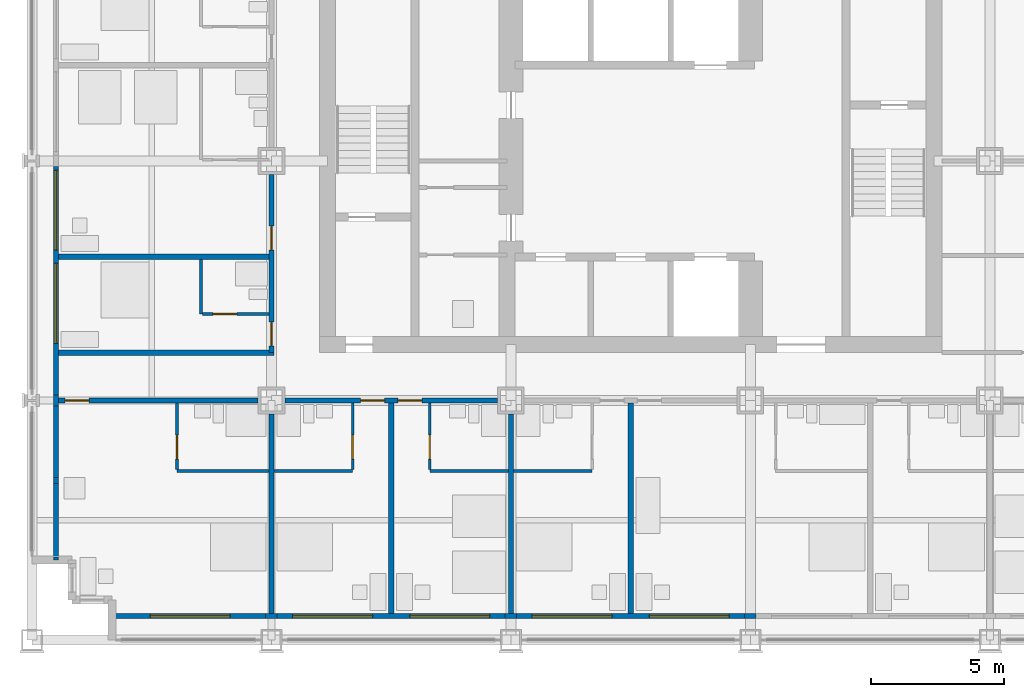
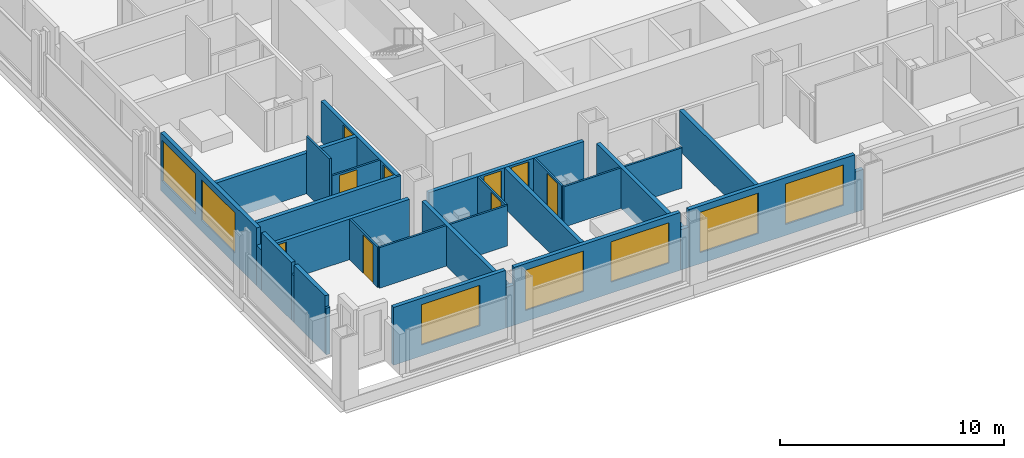
# One storey, part 10 of 19: 30 walls, 9 doors, 7 windows, 16 openings.
"""IFC4 building model written with IfcOpenShell, lengths in metres."""

from ifc_helpers import new_model, si_unit, direction, frame, frame_2d, origin, place, context, subcontext, project, spatial, rectangle, extrude, material, layer, layer_set, type_object, element, fill, save


model = new_model("IFC4")

# Units and contexts
model_context = context("Model", 3, precision=1e-05, world=origin(), true_north=direction((0.0, 1.0)))
body_context = subcontext(model_context, "Body", "Model", "MODEL_VIEW")
ifc_project = project(units=[si_unit("LENGTHUNIT", "METRE"), si_unit("AREAUNIT", "SQUARE_METRE"), si_unit("VOLUMEUNIT", "CUBIC_METRE"), si_unit("PLANEANGLEUNIT", "RADIAN"), si_unit("MASSUNIT", "GRAM", prefix="KILO")], contexts=[model_context])

# Site, building, storey
site_placement = place(None, origin())
site = spatial("IfcSite", under=ifc_project, at=site_placement, CompositionType="ELEMENT")
building_placement = place(site_placement, origin())
building = spatial("IfcBuilding", under=site, at=building_placement, Name="Loomwork Tower", CompositionType="ELEMENT")
storey_placement = place(building_placement, frame((0.0, 0.0, 85.800048828125)))
storey = spatial("IfcBuildingStorey", under=building, at=storey_placement, Name="L22", CompositionType="ELEMENT", Elevation=85.800048828125)

# Wall, opening, door
ifc_material_1 = material(Name="Gypsum board on steel studs, one-hour", Category="steel")
ifc_layer_1 = layer(ifc_material_1, 0.199951171875)
ifc_layer_set_1 = layer_set([ifc_layer_1], Name="Corridor wall 200")
wall_type_1 = type_object("IfcWallType", Name="Corridor wall 200", PredefinedType="PARTITIONING", material=ifc_layer_set_1)
wall_1_placement = place(storey_placement, frame((1.0, 9.0, 0.0), z_axis=(0.0, 0.0, 1.0), x_axis=(1.0, 0.0, 0.0)))
wall_1 = element("IfcWall", 1, at=wall_1_placement, inside=storey, type_object=wall_type_1, Name="South corridor wall 1", PredefinedType="PARTITIONING", context=body_context, shape_type="SweptSolid", body=[
    extrude(rectangle(XDim=7.5, YDim=0.199951171875, at=frame_2d((3.75, 0.0))), origin(), (0.0, 0.0, 1.0), 2.210205078125),
])
opening_1_placement = place(wall_1_placement, frame((0.25, 0.0, 0.0)))
opening_1 = element("IfcOpeningElement", 2, at=opening_1_placement, cuts=wall_1, Name="Opening D1", PredefinedType="OPENING", context=body_context, shape_type="SweptSolid", body=[
    extrude(rectangle(XDim=0.89990234375, YDim=2.10009765625, at=frame_2d((0.449951171875, 1.050048828125))), frame((0.0, 0.10986328125, 0.0), z_axis=(0.0, -1.0, 0.0), x_axis=(1.0, 0.0, 0.0)), (0.0, 0.0, 1.0), 0.219970703125),
])
ifc_material_2 = material(Name="Hollow metal door and frame")
door_type_1 = type_object("IfcDoorType", Name="Guest room entry door 900", OperationType="SINGLE_SWING_LEFT", PredefinedType="DOOR", material=ifc_material_2)
door_1_placement = place(opening_1_placement, frame((0.89990234375, 0.0, 0.0), z_axis=(0.0, 0.0, 1.0), x_axis=(-1.0, 0.0, 0.0)))
door_1 = element("IfcDoor", 3, at=door_1_placement, inside=storey, type_object=door_type_1, Name="Guest room entry door L22 1", OperationType="SINGLE_SWING_RIGHT", OverallHeight=2.10009765625, OverallWidth=0.89990234375, PredefinedType="DOOR", context=body_context, shape_type="SweptSolid", body=[
    extrude(rectangle(XDim=0.89990234375, YDim=2.10009765625, at=frame_2d((0.449951171875, 1.050048828125))), frame((0.0, 0.02490234375, 0.0), z_axis=(0.0, -1.0, 0.0), x_axis=(1.0, 0.0, 0.0)), (0.0, 0.0, 1.0), 0.050048828125),
])
fill(opening_1, door_1)

# Wall, openings, doors
wall_2_placement = place(storey_placement, frame((9.5, 9.0, 0.0), z_axis=(0.0, 0.0, 1.0), x_axis=(1.0, 0.0, 0.0)))
wall_2 = element("IfcWall", 4, at=wall_2_placement, inside=storey, type_object=wall_type_1, Name="South corridor wall 2", PredefinedType="PARTITIONING", context=body_context, shape_type="SweptSolid", body=[
    extrude(rectangle(XDim=8.0, YDim=0.199951171875, at=frame_2d((4.0, 0.0))), origin(), (0.0, 0.0, 1.0), 2.210205078125),
])
opening_2_placement = place(wall_2_placement, frame((2.85009765625, 0.0, 0.0)))
opening_2 = element("IfcOpeningElement", 5, at=opening_2_placement, cuts=wall_2, Name="Opening D1", PredefinedType="OPENING", context=body_context, shape_type="SweptSolid", body=[
    extrude(rectangle(XDim=0.89990234375, YDim=2.10009765625, at=frame_2d((0.449951171875, 1.050048828125))), frame((0.0, 0.10986328125, 0.0), z_axis=(0.0, -1.0, 0.0), x_axis=(1.0, 0.0, 0.0)), (0.0, 0.0, 1.0), 0.219970703125),
])
opening_3_placement = place(wall_2_placement, frame((4.25, 0.0, 0.0)))
opening_3 = element("IfcOpeningElement", 6, at=opening_3_placement, cuts=wall_2, Name="Opening D1", PredefinedType="OPENING", context=body_context, shape_type="SweptSolid", body=[
    extrude(rectangle(XDim=0.89990234375, YDim=2.10009765625, at=frame_2d((0.449951171875, 1.050048828125))), frame((0.0, 0.10986328125, 0.0), z_axis=(0.0, -1.0, 0.0), x_axis=(1.0, 0.0, 0.0)), (0.0, 0.0, 1.0), 0.219970703125),
])
door_2_placement = place(opening_2_placement, frame((0.89990234375, 0.0, 0.0), z_axis=(0.0, 0.0, 1.0), x_axis=(-1.0, 0.0, 0.0)))
door_2 = element("IfcDoor", 7, at=door_2_placement, inside=storey, type_object=door_type_1, Name="Guest room entry door L22 2", OperationType="SINGLE_SWING_LEFT", OverallHeight=2.10009765625, OverallWidth=0.89990234375, PredefinedType="DOOR", context=body_context, shape_type="SweptSolid", body=[
    extrude(rectangle(XDim=0.89990234375, YDim=2.10009765625, at=frame_2d((0.449951171875, 1.050048828125))), frame((0.0, 0.02490234375, 0.0), z_axis=(0.0, -1.0, 0.0), x_axis=(1.0, 0.0, 0.0)), (0.0, 0.0, 1.0), 0.050048828125),
])
fill(opening_2, door_2)
door_3_placement = place(opening_3_placement, frame((0.89990234375, 0.0, 0.0), z_axis=(0.0, 0.0, 1.0), x_axis=(-1.0, 0.0, 0.0)))
door_3 = element("IfcDoor", 8, at=door_3_placement, inside=storey, type_object=door_type_1, Name="Guest room entry door L22 3", OperationType="SINGLE_SWING_RIGHT", OverallHeight=2.10009765625, OverallWidth=0.89990234375, PredefinedType="DOOR", context=body_context, shape_type="SweptSolid", body=[
    extrude(rectangle(XDim=0.89990234375, YDim=2.10009765625, at=frame_2d((0.449951171875, 1.050048828125))), frame((0.0, 0.02490234375, 0.0), z_axis=(0.0, -1.0, 0.0), x_axis=(1.0, 0.0, 0.0)), (0.0, 0.0, 1.0), 0.050048828125),
])
fill(opening_3, door_3)

wall_3_placement = place(storey_placement, frame((9.0, 10.800048828125, 0.0), z_axis=(0.0, 0.0, 1.0), x_axis=(0.0, 1.0, 0.0)))
wall_3 = element("IfcWall", 9, at=wall_3_placement, inside=storey, type_object=wall_type_1, Name="West corridor wall 1", PredefinedType="PARTITIONING", context=body_context, shape_type="SweptSolid", body=[
    extrude(rectangle(XDim=6.699951171875, YDim=0.199951171875, at=frame_2d((3.35009765625, 0.0))), origin(), (0.0, 0.0, 1.0), 2.210205078125),
])
opening_4_placement = place(wall_3_placement, frame((0.25, 0.0, 0.0)))
opening_4 = element("IfcOpeningElement", 10, at=opening_4_placement, cuts=wall_3, Name="Opening D1", PredefinedType="OPENING", context=body_context, shape_type="SweptSolid", body=[
    extrude(rectangle(XDim=0.89990234375, YDim=2.10009765625, at=frame_2d((0.449951171875, 1.050048828125))), frame((0.0, 0.10986328125, 0.0), z_axis=(0.0, -1.0, 0.0), x_axis=(1.0, 0.0, 0.0)), (0.0, 0.0, 1.0), 0.219970703125),
])
opening_5_placement = place(wall_3_placement, frame((3.85009765625, 0.0, 0.0)))
opening_5 = element("IfcOpeningElement", 11, at=opening_5_placement, cuts=wall_3, Name="Opening D1", PredefinedType="OPENING", context=body_context, shape_type="SweptSolid", body=[
    extrude(rectangle(XDim=0.89990234375, YDim=2.10009765625, at=frame_2d((0.449951171875, 1.050048828125))), frame((0.0, 0.10986328125, 0.0), z_axis=(0.0, -1.0, 0.0), x_axis=(1.0, 0.0, 0.0)), (0.0, 0.0, 1.0), 0.219970703125),
])
door_4_placement = place(opening_4_placement, origin())
door_4 = element("IfcDoor", 12, at=door_4_placement, inside=storey, type_object=door_type_1, Name="Guest room entry door L22 18", OperationType="SINGLE_SWING_LEFT", OverallHeight=2.10009765625, OverallWidth=0.89990234375, PredefinedType="DOOR", context=body_context, shape_type="SweptSolid", body=[
    extrude(rectangle(XDim=0.89990234375, YDim=2.10009765625, at=frame_2d((0.449951171875, 1.050048828125))), frame((0.0, 0.02490234375, 0.0), z_axis=(0.0, -1.0, 0.0), x_axis=(1.0, 0.0, 0.0)), (0.0, 0.0, 1.0), 0.050048828125),
])
fill(opening_4, door_4)
door_5_placement = place(opening_5_placement, origin())
door_5 = element("IfcDoor", 13, at=door_5_placement, inside=storey, type_object=door_type_1, Name="Guest room entry door L22 19", OperationType="SINGLE_SWING_LEFT", OverallHeight=2.10009765625, OverallWidth=0.89990234375, PredefinedType="DOOR", context=body_context, shape_type="SweptSolid", body=[
    extrude(rectangle(XDim=0.89990234375, YDim=2.10009765625, at=frame_2d((0.449951171875, 1.050048828125))), frame((0.0, 0.02490234375, 0.0), z_axis=(0.0, -1.0, 0.0), x_axis=(1.0, 0.0, 0.0)), (0.0, 0.0, 1.0), 0.050048828125),
])
fill(opening_5, door_5)

# Walls
wall_4_placement = place(storey_placement, frame((1.0, 10.800048828125, 0.0), z_axis=(0.0, 0.0, 1.0), x_axis=(1.0, 0.0, 0.0)))
element("IfcWall", 14, at=wall_4_placement, inside=storey, type_object=wall_type_1, Name="West band end wall S", PredefinedType="PARTITIONING", context=body_context, shape_type="SweptSolid", body=[
    extrude(rectangle(XDim=8.10009765625, YDim=0.199951171875, at=frame_2d((4.050048828125, 0.0))), origin(), (0.0, 0.0, 1.0), 2.2099609375),
])
ifc_material_3 = material(Name="Cement board on steel studs", Category="steel")
ifc_layer_2 = layer(ifc_material_3, 0.10009765625)
ifc_layer_set_2 = layer_set([ifc_layer_2], Name="En-suite partition 100")
wall_type_2 = type_object("IfcWallType", Name="En-suite partition 100", PredefinedType="PARTITIONING", material=ifc_layer_set_2)
wall_5_placement = place(storey_placement, frame((5.449951171875, 6.35009765625, 0.0), z_axis=(0.0, 0.0, 1.0), x_axis=(1.0, 0.0, 0.0)))
element("IfcWall", 15, at=wall_5_placement, inside=storey, type_object=wall_type_2, Name="En-suite wall L22 room 1", PredefinedType="PARTITIONING", context=body_context, shape_type="SweptSolid", body=[
    extrude(rectangle(XDim=3.449951171875, YDim=0.10009765625, at=frame_2d((1.72509765625, 0.0))), origin(), (0.0, 0.0, 1.0), 2.2099609375),
])

# Wall, opening, door
wall_6_placement = place(storey_placement, frame((5.449951171875, 8.89990234375, 0.0), z_axis=(0.0, 0.0, 1.0), x_axis=(0.0, -1.0, 0.0)))
wall_6 = element("IfcWall", 16, at=wall_6_placement, inside=storey, type_object=wall_type_2, Name="En-suite side wall L22 room 1", PredefinedType="PARTITIONING", context=body_context, shape_type="SweptSolid", body=[
    extrude(rectangle(XDim=2.5, YDim=0.10009765625, at=frame_2d((1.25, 0.0))), origin(), (0.0, 0.0, 1.0), 2.2099609375),
])
opening_6_placement = place(wall_6_placement, frame((1.199951171875, 0.0, 0.0)))
opening_6 = element("IfcOpeningElement", 17, at=opening_6_placement, cuts=wall_6, Name="Opening D3", PredefinedType="OPENING", context=body_context, shape_type="SweptSolid", body=[
    extrude(rectangle(XDim=0.89990234375, YDim=2.10009765625, at=frame_2d((0.449951171875, 1.050048828125))), frame((0.0, 0.06005859375, 0.0), z_axis=(0.0, -1.0, 0.0), x_axis=(1.0, 0.0, 0.0)), (0.0, 0.0, 1.0), 0.1201171875),
])
ifc_material_4 = material(Name="Hollow metal door and frame")
door_type_2 = type_object("IfcDoorType", Name="Accessible en-suite door 900", OperationType="SLIDING_TO_LEFT", PredefinedType="DOOR", material=ifc_material_4)
door_6_placement = place(opening_6_placement, origin())
door_6 = element("IfcDoor", 18, at=door_6_placement, inside=storey, type_object=door_type_2, Name="Accessible en-suite door room 1", OperationType="SLIDING_TO_LEFT", OverallHeight=2.10009765625, OverallWidth=0.89990234375, PredefinedType="DOOR", context=body_context, shape_type="SweptSolid", body=[
    extrude(rectangle(XDim=0.89990234375, YDim=2.10009765625, at=frame_2d((0.449951171875, 1.050048828125))), frame((0.0, 0.02490234375, 0.0), z_axis=(0.0, -1.0, 0.0), x_axis=(1.0, 0.0, 0.0)), (0.0, 0.0, 1.0), 0.050048828125),
])
fill(opening_6, door_6)

# Wall
wall_7_placement = place(storey_placement, frame((9.10009765625, 6.35009765625, 0.0), z_axis=(0.0, 0.0, 1.0), x_axis=(1.0, 0.0, 0.0)))
element("IfcWall", 19, at=wall_7_placement, inside=storey, type_object=wall_type_2, Name="En-suite wall L22 room 2", PredefinedType="PARTITIONING", context=body_context, shape_type="SweptSolid", body=[
    extrude(rectangle(XDim=2.949951171875, YDim=0.10009765625, at=frame_2d((1.47509765625, 0.0))), origin(), (0.0, 0.0, 1.0), 2.2099609375),
])

# Wall, opening, door
wall_8_placement = place(storey_placement, frame((12.050048828125, 8.89990234375, 0.0), z_axis=(0.0, 0.0, 1.0), x_axis=(0.0, -1.0, 0.0)))
wall_8 = element("IfcWall", 20, at=wall_8_placement, inside=storey, type_object=wall_type_2, Name="En-suite side wall L22 room 2", PredefinedType="PARTITIONING", context=body_context, shape_type="SweptSolid", body=[
    extrude(rectangle(XDim=2.5, YDim=0.10009765625, at=frame_2d((1.25, 0.0))), origin(), (0.0, 0.0, 1.0), 2.2099609375),
])
opening_7_placement = place(wall_8_placement, frame((1.199951171875, 0.0, 0.0)))
opening_7 = element("IfcOpeningElement", 21, at=opening_7_placement, cuts=wall_8, Name="Opening D2", PredefinedType="OPENING", context=body_context, shape_type="SweptSolid", body=[
    extrude(rectangle(XDim=0.89990234375, YDim=2.10009765625, at=frame_2d((0.449951171875, 1.050048828125))), frame((0.0, 0.06005859375, 0.0), z_axis=(0.0, -1.0, 0.0), x_axis=(1.0, 0.0, 0.0)), (0.0, 0.0, 1.0), 0.1201171875),
])
ifc_material_5 = material(Name="Hollow metal door and frame")
door_type_3 = type_object("IfcDoorType", Name="En-suite door 900", OperationType="SINGLE_SWING_LEFT", PredefinedType="DOOR", material=ifc_material_5)
door_7_placement = place(opening_7_placement, frame((0.89990234375, 0.0, 0.0), z_axis=(0.0, 0.0, 1.0), x_axis=(-1.0, 0.0, 0.0)))
door_7 = element("IfcDoor", 22, at=door_7_placement, inside=storey, type_object=door_type_3, Name="En-suite door room 2", OperationType="SINGLE_SWING_LEFT", OverallHeight=2.10009765625, OverallWidth=0.89990234375, PredefinedType="DOOR", context=body_context, shape_type="SweptSolid", body=[
    extrude(rectangle(XDim=0.89990234375, YDim=2.10009765625, at=frame_2d((0.449951171875, 1.050048828125))), frame((0.0, 0.02490234375, 0.0), z_axis=(0.0, -1.0, 0.0), x_axis=(1.0, 0.0, 0.0)), (0.0, 0.0, 1.0), 0.050048828125),
])
fill(opening_7, door_7)

# Wall
wall_9_placement = place(storey_placement, frame((14.949951171875, 6.35009765625, 0.0), z_axis=(0.0, 0.0, 1.0), x_axis=(1.0, 0.0, 0.0)))
element("IfcWall", 23, at=wall_9_placement, inside=storey, type_object=wall_type_2, Name="En-suite wall L22 room 3", PredefinedType="PARTITIONING", context=body_context, shape_type="SweptSolid", body=[
    extrude(rectangle(XDim=2.949951171875, YDim=0.10009765625, at=frame_2d((1.47509765625, 0.0))), origin(), (0.0, 0.0, 1.0), 2.201904296875),
])

# Wall, opening, door
wall_10_placement = place(storey_placement, frame((14.949951171875, 8.89990234375, 0.0), z_axis=(0.0, 0.0, 1.0), x_axis=(0.0, -1.0, 0.0)))
wall_10 = element("IfcWall", 24, at=wall_10_placement, inside=storey, type_object=wall_type_2, Name="En-suite side wall L22 room 3", PredefinedType="PARTITIONING", context=body_context, shape_type="SweptSolid", body=[
    extrude(rectangle(XDim=2.5, YDim=0.10009765625, at=frame_2d((1.25, 0.0))), origin(), (0.0, 0.0, 1.0), 2.2099609375),
])
opening_8_placement = place(wall_10_placement, frame((1.199951171875, 0.0, 0.0)))
opening_8 = element("IfcOpeningElement", 25, at=opening_8_placement, cuts=wall_10, Name="Opening D2", PredefinedType="OPENING", context=body_context, shape_type="SweptSolid", body=[
    extrude(rectangle(XDim=0.89990234375, YDim=2.10009765625, at=frame_2d((0.449951171875, 1.050048828125))), frame((0.0, 0.06005859375, 0.0), z_axis=(0.0, -1.0, 0.0), x_axis=(1.0, 0.0, 0.0)), (0.0, 0.0, 1.0), 0.1201171875),
])
door_8_placement = place(opening_8_placement, origin())
door_8 = element("IfcDoor", 26, at=door_8_placement, inside=storey, type_object=door_type_3, Name="En-suite door room 3", OperationType="SINGLE_SWING_RIGHT", OverallHeight=2.10009765625, OverallWidth=0.89990234375, PredefinedType="DOOR", context=body_context, shape_type="SweptSolid", body=[
    extrude(rectangle(XDim=0.89990234375, YDim=2.10009765625, at=frame_2d((0.449951171875, 1.050048828125))), frame((0.0, 0.02490234375, 0.0), z_axis=(0.0, -1.0, 0.0), x_axis=(1.0, 0.0, 0.0)), (0.0, 0.0, 1.0), 0.050048828125),
])
fill(opening_8, door_8)

# Walls
wall_11_placement = place(storey_placement, frame((18.10009765625, 6.35009765625, 0.0), z_axis=(0.0, 0.0, 1.0), x_axis=(1.0, 0.0, 0.0)))
element("IfcWall", 27, at=wall_11_placement, inside=storey, type_object=wall_type_2, Name="En-suite wall L22 room 4", PredefinedType="PARTITIONING", context=body_context, shape_type="SweptSolid", body=[
    extrude(rectangle(XDim=2.949951171875, YDim=0.10009765625, at=frame_2d((1.47509765625, 0.0))), origin(), (0.0, 0.0, 1.0), 2.201904296875),
])
wall_12_placement = place(storey_placement, frame((6.35009765625, 12.25, 0.0), z_axis=(0.0, 0.0, 1.0), x_axis=(0.0, 1.0, 0.0)))
element("IfcWall", 28, at=wall_12_placement, inside=storey, type_object=wall_type_2, Name="En-suite wall L22 room 18", PredefinedType="PARTITIONING", context=body_context, shape_type="SweptSolid", body=[
    extrude(rectangle(XDim=2.050048828125, YDim=0.10009765625, at=frame_2d((1.02490234375, 0.0))), origin(), (0.0, 0.0, 1.0), 3.14990234375),
])

# Wall, opening, door
wall_13_placement = place(storey_placement, frame((8.89990234375, 12.25, 0.0), z_axis=(0.0, 0.0, 1.0), x_axis=(-1.0, 0.0, 0.0)))
wall_13 = element("IfcWall", 29, at=wall_13_placement, inside=storey, type_object=wall_type_2, Name="En-suite side wall L22 room 18", PredefinedType="PARTITIONING", context=body_context, shape_type="SweptSolid", body=[
    extrude(rectangle(XDim=2.5, YDim=0.10009765625, at=frame_2d((1.25, 0.0))), origin(), (0.0, 0.0, 1.0), 2.2099609375),
])
opening_9_placement = place(wall_13_placement, frame((1.199951171875, 0.0, 0.0)))
opening_9 = element("IfcOpeningElement", 30, at=opening_9_placement, cuts=wall_13, Name="Opening D2", PredefinedType="OPENING", context=body_context, shape_type="SweptSolid", body=[
    extrude(rectangle(XDim=0.89990234375, YDim=2.10009765625, at=frame_2d((0.449951171875, 1.050048828125))), frame((0.0, 0.06005859375, 0.0), z_axis=(0.0, -1.0, 0.0), x_axis=(1.0, 0.0, 0.0)), (0.0, 0.0, 1.0), 0.1201171875),
])
door_9_placement = place(opening_9_placement, frame((0.89990234375, 0.0, 0.0), z_axis=(0.0, 0.0, 1.0), x_axis=(-1.0, 0.0, 0.0)))
door_9 = element("IfcDoor", 31, at=door_9_placement, inside=storey, type_object=door_type_3, Name="En-suite door room 18", OperationType="SINGLE_SWING_LEFT", OverallHeight=2.10009765625, OverallWidth=0.89990234375, PredefinedType="DOOR", context=body_context, shape_type="SweptSolid", body=[
    extrude(rectangle(XDim=0.89990234375, YDim=2.10009765625, at=frame_2d((0.449951171875, 1.050048828125))), frame((0.0, 0.02490234375, 0.0), z_axis=(0.0, -1.0, 0.0), x_axis=(1.0, 0.0, 0.0)), (0.0, 0.0, 1.0), 0.050048828125),
])
fill(opening_9, door_9)

# Walls
ifc_material_6 = material(Name="Gypsum board on steel studs, acoustic", Category="steel")
ifc_layer_3 = layer(ifc_material_6, 0.199951171875)
ifc_layer_set_3 = layer_set([ifc_layer_3], Name="Guest room party wall 200")
wall_type_3 = type_object("IfcWallType", Name="Guest room party wall 200", PredefinedType="PARTITIONING", material=ifc_layer_set_3)
wall_14_placement = place(storey_placement, frame((9.0, 8.5, 0.0), z_axis=(0.0, 0.0, 1.0), x_axis=(0.0, -1.0, 0.0)))
element("IfcWall", 32, at=wall_14_placement, inside=storey, type_object=wall_type_3, Name="Guest room party wall S 9", PredefinedType="PARTITIONING", context=body_context, shape_type="SweptSolid", body=[
    extrude(rectangle(XDim=7.5, YDim=0.199951171875, at=frame_2d((3.75, 0.0))), origin(), (0.0, 0.0, 1.0), 2.210205078125),
])
wall_15_placement = place(storey_placement, frame((13.5, 8.89990234375, 0.0), z_axis=(0.0, 0.0, 1.0), x_axis=(0.0, -1.0, 0.0)))
element("IfcWall", 33, at=wall_15_placement, inside=storey, type_object=wall_type_3, Name="Guest room party wall S 13.5", PredefinedType="PARTITIONING", context=body_context, shape_type="SweptSolid", body=[
    extrude(rectangle(XDim=7.89990234375, YDim=0.199951171875, at=frame_2d((3.949951171875, 0.0))), origin(), (0.0, 0.0, 1.0), 2.2099609375),
])
wall_16_placement = place(storey_placement, frame((18.0, 8.5, 0.0), z_axis=(0.0, 0.0, 1.0), x_axis=(0.0, -1.0, 0.0)))
element("IfcWall", 34, at=wall_16_placement, inside=storey, type_object=wall_type_3, Name="Guest room party wall S 18", PredefinedType="PARTITIONING", context=body_context, shape_type="SweptSolid", body=[
    extrude(rectangle(XDim=7.5, YDim=0.199951171875, at=frame_2d((3.75, 0.0))), origin(), (0.0, 0.0, 1.0), 2.20263671875),
])
for number, where, z_axis, x_axis, name in (
    (35, (22.5, 8.89990234375, 0.0), (0.0, 0.0, 1.0), (0.0, -1.0, 0.0), "Guest room party wall S 22.5"),
    (36, (8.89990234375, 14.39990234375, 0.0), (0.0, 0.0, 1.0), (-1.0, 0.0, 0.0), "Guest room party wall W 14.4"),
):
    element("IfcWall", number, at=place(storey_placement, frame(where, z_axis=z_axis, x_axis=x_axis)), inside=storey, type_object=wall_type_3, Name=name, PredefinedType="PARTITIONING", context=body_context, shape_type="SweptSolid", body=[
        extrude(rectangle(XDim=7.89990234375, YDim=0.199951171875, at=frame_2d((3.949951171875, 0.0))), origin(), (0.0, 0.0, 1.0), 2.2099609375),
    ])

# Wall, opening, window
ifc_material_7 = material(Name="Insulated steel stud wall with gypsum lining", Category="steel")
ifc_layer_4 = layer(ifc_material_7, 0.199951171875)
ifc_layer_set_4 = layer_set([ifc_layer_4], Name="Inner skin wall 200")
wall_type_4 = type_object("IfcWallType", Name="Inner skin wall 200", PredefinedType="SOLIDWALL", material=ifc_layer_set_4)
wall_17_placement = place(storey_placement, frame((3.0, 0.89990234375, 0.0), z_axis=(0.0, 0.0, 1.0), x_axis=(1.0, 0.0, 0.0)))
wall_17 = element("IfcWall", 37, at=wall_17_placement, inside=storey, type_object=wall_type_4, Name="Inner skin wall S", PredefinedType="SOLIDWALL", context=body_context, shape_type="SweptSolid", body=[
    extrude(rectangle(XDim=5.78466796875, YDim=0.199951171875, at=frame_2d((2.892333984375, 0.0))), origin(), (0.0, 0.0, 1.0), 3.14990234375),
])
opening_10_placement = place(wall_17_placement, frame((1.449951171875, 0.0, 0.60009765625)))
opening_10 = element("IfcOpeningElement", 38, at=opening_10_placement, cuts=wall_17, Name="Opening CH1", PredefinedType="OPENING", context=body_context, shape_type="SweptSolid", body=[
    extrude(rectangle(XDim=3.0, YDim=2.199951171875, at=frame_2d((1.5, 1.10009765625))), frame((0.0, 0.10986328125, 0.0), z_axis=(0.0, -1.0, 0.0), x_axis=(1.0, 0.0, 0.0)), (0.0, 0.0, 1.0), 0.219970703125),
])
ifc_material_8 = material(Name="Aluminium frame with clear insulated glass", Category="aluminium")
window_type = type_object("IfcWindowType", Name="Chicago window 3000", PartitioningType="TRIPLE_PANEL_VERTICAL", PredefinedType="WINDOW", material=ifc_material_8)
window_1_placement = place(opening_10_placement, origin())
window_1 = element("IfcWindow", 39, at=window_1_placement, inside=storey, type_object=window_type, Name="Chicago window L22 bay 1", OverallHeight=2.199951171875, OverallWidth=3.0, PartitioningType="TRIPLE_PANEL_VERTICAL", PredefinedType="WINDOW", context=body_context, shape_type="SweptSolid", body=[
    extrude(rectangle(XDim=3.0, YDim=2.199951171875, at=frame_2d((1.5, 1.10009765625))), frame((0.0, 0.030029296875, 0.0), z_axis=(0.0, -1.0, 0.0), x_axis=(1.0, 0.0, 0.0)), (0.0, 0.0, 1.0), 0.06005859375),
])
fill(opening_10, window_1)

# Walls
wall_18_placement = place(storey_placement, frame((0.89990234375, 3.0, 0.0), z_axis=(0.0, 0.0, 1.0), x_axis=(0.0, 1.0, 0.0)))
element("IfcWall", 40, at=wall_18_placement, inside=storey, type_object=wall_type_4, Name="Inner skin wall W", PredefinedType="SOLIDWALL", context=body_context, shape_type="SweptSolid", body=[
    extrude(rectangle(XDim=0.1162109375, YDim=0.199951171875, at=frame_2d((0.05810546875, 0.0))), origin(), (0.0, 0.0, 1.0), 2.5419921875),
])
wall_19_placement = place(storey_placement, frame((8.78466796875, 0.89990234375, 0.0), z_axis=(0.0, 0.0, 1.0), x_axis=(1.0, 0.0, 0.0)))
element("IfcWall", 41, at=wall_19_placement, inside=storey, type_object=wall_type_4, Name="Inner skin wall S bay 2", PredefinedType="SOLIDWALL", context=body_context, shape_type="SweptSolid", body=[
    extrude(rectangle(XDim=0.4306640625, YDim=0.199951171875, at=frame_2d((0.21533203125, 0.0))), origin(), (0.0, 0.0, 1.0), 2.2099609375),
])

# Wall, openings, windows
wall_20_placement = place(storey_placement, frame((9.21533203125, 0.89990234375, 0.0), z_axis=(0.0, 0.0, 1.0), x_axis=(1.0, 0.0, 0.0)))
wall_20 = element("IfcWall", 42, at=wall_20_placement, inside=storey, type_object=wall_type_4, Name="Inner skin wall S bay 3", PredefinedType="SOLIDWALL", context=body_context, shape_type="SweptSolid", body=[
    extrude(rectangle(XDim=8.570556640625, YDim=0.199951171875, at=frame_2d((4.28515625, 0.0))), origin(), (0.0, 0.0, 1.0), 3.14990234375),
])
opening_11_placement = place(wall_20_placement, frame((0.584716796875, 0.0, 0.60009765625)))
opening_11 = element("IfcOpeningElement", 43, at=opening_11_placement, cuts=wall_20, Name="Opening CH1", PredefinedType="OPENING", context=body_context, shape_type="SweptSolid", body=[
    extrude(rectangle(XDim=3.0, YDim=2.199951171875, at=frame_2d((1.5, 1.10009765625))), frame((0.0, 0.10986328125, 0.0), z_axis=(0.0, -1.0, 0.0), x_axis=(1.0, 0.0, 0.0)), (0.0, 0.0, 1.0), 0.219970703125),
])
opening_12_placement = place(wall_20_placement, frame((4.984619140625, 0.0, 0.60009765625)))
opening_12 = element("IfcOpeningElement", 44, at=opening_12_placement, cuts=wall_20, Name="Opening CH1", PredefinedType="OPENING", context=body_context, shape_type="SweptSolid", body=[
    extrude(rectangle(XDim=3.0, YDim=2.199951171875, at=frame_2d((1.5, 1.10009765625))), frame((0.0, 0.10986328125, 0.0), z_axis=(0.0, -1.0, 0.0), x_axis=(1.0, 0.0, 0.0)), (0.0, 0.0, 1.0), 0.219970703125),
])
window_2_placement = place(opening_11_placement, origin())
window_2 = element("IfcWindow", 45, at=window_2_placement, inside=storey, type_object=window_type, Name="Chicago window L22 bay 2", OverallHeight=2.199951171875, OverallWidth=3.0, PartitioningType="TRIPLE_PANEL_VERTICAL", PredefinedType="WINDOW", context=body_context, shape_type="SweptSolid", body=[
    extrude(rectangle(XDim=3.0, YDim=2.199951171875, at=frame_2d((1.5, 1.10009765625))), frame((0.0, 0.030029296875, 0.0), z_axis=(0.0, -1.0, 0.0), x_axis=(1.0, 0.0, 0.0)), (0.0, 0.0, 1.0), 0.06005859375),
])
fill(opening_11, window_2)
window_3_placement = place(opening_12_placement, origin())
window_3 = element("IfcWindow", 46, at=window_3_placement, inside=storey, type_object=window_type, Name="Chicago window L22 bay 2", OverallHeight=2.199951171875, OverallWidth=3.0, PartitioningType="TRIPLE_PANEL_VERTICAL", PredefinedType="WINDOW", context=body_context, shape_type="SweptSolid", body=[
    extrude(rectangle(XDim=3.0, YDim=2.199951171875, at=frame_2d((1.5, 1.10009765625))), frame((0.0, 0.030029296875, 0.0), z_axis=(0.0, -1.0, 0.0), x_axis=(1.0, 0.0, 0.0)), (0.0, 0.0, 1.0), 0.06005859375),
])
fill(opening_12, window_3)

# Wall
wall_21_placement = place(storey_placement, frame((17.785888671875, 0.89990234375, 0.0), z_axis=(0.0, 0.0, 1.0), x_axis=(1.0, 0.0, 0.0)))
element("IfcWall", 47, at=wall_21_placement, inside=storey, type_object=wall_type_4, Name="Inner skin wall S bay 4", PredefinedType="SOLIDWALL", context=body_context, shape_type="SweptSolid", body=[
    extrude(rectangle(XDim=0.42822265625, YDim=0.199951171875, at=frame_2d((0.214111328125, 0.0))), origin(), (0.0, 0.0, 1.0), 2.201904296875),
])

# Wall, openings, windows
wall_22_placement = place(storey_placement, frame((18.214111328125, 0.89990234375, 0.0), z_axis=(0.0, 0.0, 1.0), x_axis=(1.0, 0.0, 0.0)))
wall_22 = element("IfcWall", 48, at=wall_22_placement, inside=storey, type_object=wall_type_4, Name="Inner skin wall S bay 5", PredefinedType="SOLIDWALL", context=body_context, shape_type="SweptSolid", body=[
    extrude(rectangle(XDim=8.57177734375, YDim=0.199951171875, at=frame_2d((4.285888671875, 0.0))), origin(), (0.0, 0.0, 1.0), 3.14990234375),
])
opening_13_placement = place(wall_22_placement, frame((0.5859375, 0.0, 0.60009765625)))
opening_13 = element("IfcOpeningElement", 49, at=opening_13_placement, cuts=wall_22, Name="Opening CH1", PredefinedType="OPENING", context=body_context, shape_type="SweptSolid", body=[
    extrude(rectangle(XDim=3.0, YDim=2.199951171875, at=frame_2d((1.5, 1.10009765625))), frame((0.0, 0.10986328125, 0.0), z_axis=(0.0, -1.0, 0.0), x_axis=(1.0, 0.0, 0.0)), (0.0, 0.0, 1.0), 0.219970703125),
])
opening_14_placement = place(wall_22_placement, frame((4.98583984375, 0.0, 0.60009765625)))
opening_14 = element("IfcOpeningElement", 50, at=opening_14_placement, cuts=wall_22, Name="Opening CH1", PredefinedType="OPENING", context=body_context, shape_type="SweptSolid", body=[
    extrude(rectangle(XDim=3.0, YDim=2.199951171875, at=frame_2d((1.5, 1.10009765625))), frame((0.0, 0.10986328125, 0.0), z_axis=(0.0, -1.0, 0.0), x_axis=(1.0, 0.0, 0.0)), (0.0, 0.0, 1.0), 0.219970703125),
])
window_4_placement = place(opening_13_placement, origin())
window_4 = element("IfcWindow", 51, at=window_4_placement, inside=storey, type_object=window_type, Name="Chicago window L22 bay 3", OverallHeight=2.199951171875, OverallWidth=3.0, PartitioningType="TRIPLE_PANEL_VERTICAL", PredefinedType="WINDOW", context=body_context, shape_type="SweptSolid", body=[
    extrude(rectangle(XDim=3.0, YDim=2.199951171875, at=frame_2d((1.5, 1.10009765625))), frame((0.0, 0.030029296875, 0.0), z_axis=(0.0, -1.0, 0.0), x_axis=(1.0, 0.0, 0.0)), (0.0, 0.0, 1.0), 0.06005859375),
])
fill(opening_13, window_4)
window_5_placement = place(opening_14_placement, origin())
window_5 = element("IfcWindow", 52, at=window_5_placement, inside=storey, type_object=window_type, Name="Chicago window L22 bay 3", OverallHeight=2.199951171875, OverallWidth=3.0, PartitioningType="TRIPLE_PANEL_VERTICAL", PredefinedType="WINDOW", context=body_context, shape_type="SweptSolid", body=[
    extrude(rectangle(XDim=3.0, YDim=2.199951171875, at=frame_2d((1.5, 1.10009765625))), frame((0.0, 0.030029296875, 0.0), z_axis=(0.0, -1.0, 0.0), x_axis=(1.0, 0.0, 0.0)), (0.0, 0.0, 1.0), 0.06005859375),
])
fill(opening_14, window_5)

# Walls
wall_23_placement = place(storey_placement, frame((26.785888671875, 0.89990234375, 0.0), z_axis=(0.0, 0.0, 1.0), x_axis=(1.0, 0.0, 0.0)))
element("IfcWall", 53, at=wall_23_placement, inside=storey, type_object=wall_type_4, Name="Inner skin wall S bay 6", PredefinedType="SOLIDWALL", context=body_context, shape_type="SweptSolid", body=[
    extrude(rectangle(XDim=0.42822265625, YDim=0.199951171875, at=frame_2d((0.214111328125, 0.0))), origin(), (0.0, 0.0, 1.0), 2.201904296875),
])
wall_24_placement = place(storey_placement, frame((0.89990234375, 3.1162109375, 0.0), z_axis=(0.0, 0.0, 1.0), x_axis=(0.0, 1.0, 0.0)))
element("IfcWall", 54, at=wall_24_placement, inside=storey, type_object=wall_type_4, Name="Inner skin wall W bay 2", PredefinedType="SOLIDWALL", context=body_context, shape_type="SweptSolid", body=[
    extrude(rectangle(XDim=2.767578125, YDim=0.199951171875, at=frame_2d((1.3837890625, 0.0))), origin(), (0.0, 0.0, 1.0), 3.14990234375),
])
wall_25_placement = place(storey_placement, frame((0.89990234375, 5.8837890625, 0.0), z_axis=(0.0, 0.0, 1.0), x_axis=(0.0, 1.0, 0.0)))
element("IfcWall", 55, at=wall_25_placement, inside=storey, type_object=wall_type_4, Name="Inner skin wall W bay 3", PredefinedType="SOLIDWALL", context=body_context, shape_type="SweptSolid", body=[
    extrude(rectangle(XDim=0.232421875, YDim=0.199951171875, at=frame_2d((0.1162109375, 0.0))), origin(), (0.0, 0.0, 1.0), 2.5419921875),
])
wall_26_placement = place(storey_placement, frame((0.89990234375, 6.1162109375, 0.0), z_axis=(0.0, 0.0, 1.0), x_axis=(0.0, 1.0, 0.0)))
element("IfcWall", 56, at=wall_26_placement, inside=storey, type_object=wall_type_4, Name="Inner skin wall W bay 4", PredefinedType="SOLIDWALL", context=body_context, shape_type="SweptSolid", body=[
    extrude(rectangle(XDim=2.66845703125, YDim=0.199951171875, at=frame_2d((1.334228515625, 0.0))), origin(), (0.0, 0.0, 1.0), 3.14990234375),
])
wall_27_placement = place(storey_placement, frame((0.89990234375, 8.78466796875, 0.0), z_axis=(0.0, 0.0, 1.0), x_axis=(0.0, 1.0, 0.0)))
element("IfcWall", 57, at=wall_27_placement, inside=storey, type_object=wall_type_4, Name="Inner skin wall W bay 5", PredefinedType="SOLIDWALL", context=body_context, shape_type="SweptSolid", body=[
    extrude(rectangle(XDim=0.4306640625, YDim=0.199951171875, at=frame_2d((0.21533203125, 0.0))), origin(), (0.0, 0.0, 1.0), 2.2099609375),
])

# Wall, openings, windows
wall_28_placement = place(storey_placement, frame((0.89990234375, 9.21533203125, 0.0), z_axis=(0.0, 0.0, 1.0), x_axis=(0.0, 1.0, 0.0)))
wall_28 = element("IfcWall", 58, at=wall_28_placement, inside=storey, type_object=wall_type_4, Name="Inner skin wall W bay 6", PredefinedType="SOLIDWALL", context=body_context, shape_type="SweptSolid", body=[
    extrude(rectangle(XDim=8.570556640625, YDim=0.199951171875, at=frame_2d((4.28515625, 0.0))), origin(), (0.0, 0.0, 1.0), 3.14990234375),
])
opening_15_placement = place(wall_28_placement, frame((1.9345703125, 0.0, 0.60009765625)))
opening_15 = element("IfcOpeningElement", 59, at=opening_15_placement, cuts=wall_28, Name="Opening CH1", PredefinedType="OPENING", context=body_context, shape_type="SweptSolid", body=[
    extrude(rectangle(XDim=3.0, YDim=2.199951171875, at=frame_2d((1.5, 1.10009765625))), frame((0.0, 0.10986328125, 0.0), z_axis=(0.0, -1.0, 0.0), x_axis=(1.0, 0.0, 0.0)), (0.0, 0.0, 1.0), 0.219970703125),
])
opening_16_placement = place(wall_28_placement, frame((5.4345703125, 0.0, 0.60009765625)))
opening_16 = element("IfcOpeningElement", 60, at=opening_16_placement, cuts=wall_28, Name="Opening CH1", PredefinedType="OPENING", context=body_context, shape_type="SweptSolid", body=[
    extrude(rectangle(XDim=3.0, YDim=2.199951171875, at=frame_2d((1.5, 1.10009765625))), frame((0.0, 0.10986328125, 0.0), z_axis=(0.0, -1.0, 0.0), x_axis=(1.0, 0.0, 0.0)), (0.0, 0.0, 1.0), 0.219970703125),
])
window_6_placement = place(opening_15_placement, origin())
window_6 = element("IfcWindow", 61, at=window_6_placement, inside=storey, type_object=window_type, Name="Chicago window L22 bay 13", OverallHeight=2.199951171875, OverallWidth=3.0, PartitioningType="TRIPLE_PANEL_VERTICAL", PredefinedType="WINDOW", context=body_context, shape_type="SweptSolid", body=[
    extrude(rectangle(XDim=3.0, YDim=2.199951171875, at=frame_2d((1.5, 1.10009765625))), frame((0.0, 0.030029296875, 0.0), z_axis=(0.0, -1.0, 0.0), x_axis=(1.0, 0.0, 0.0)), (0.0, 0.0, 1.0), 0.06005859375),
])
fill(opening_15, window_6)
window_7_placement = place(opening_16_placement, origin())
window_7 = element("IfcWindow", 62, at=window_7_placement, inside=storey, type_object=window_type, Name="Chicago window L22 bay 13", OverallHeight=2.199951171875, OverallWidth=3.0, PartitioningType="TRIPLE_PANEL_VERTICAL", PredefinedType="WINDOW", context=body_context, shape_type="SweptSolid", body=[
    extrude(rectangle(XDim=3.0, YDim=2.199951171875, at=frame_2d((1.5, 1.10009765625))), frame((0.0, 0.030029296875, 0.0), z_axis=(0.0, -1.0, 0.0), x_axis=(1.0, 0.0, 0.0)), (0.0, 0.0, 1.0), 0.06005859375),
])
fill(opening_16, window_7)

save(model, "model.ifc")
